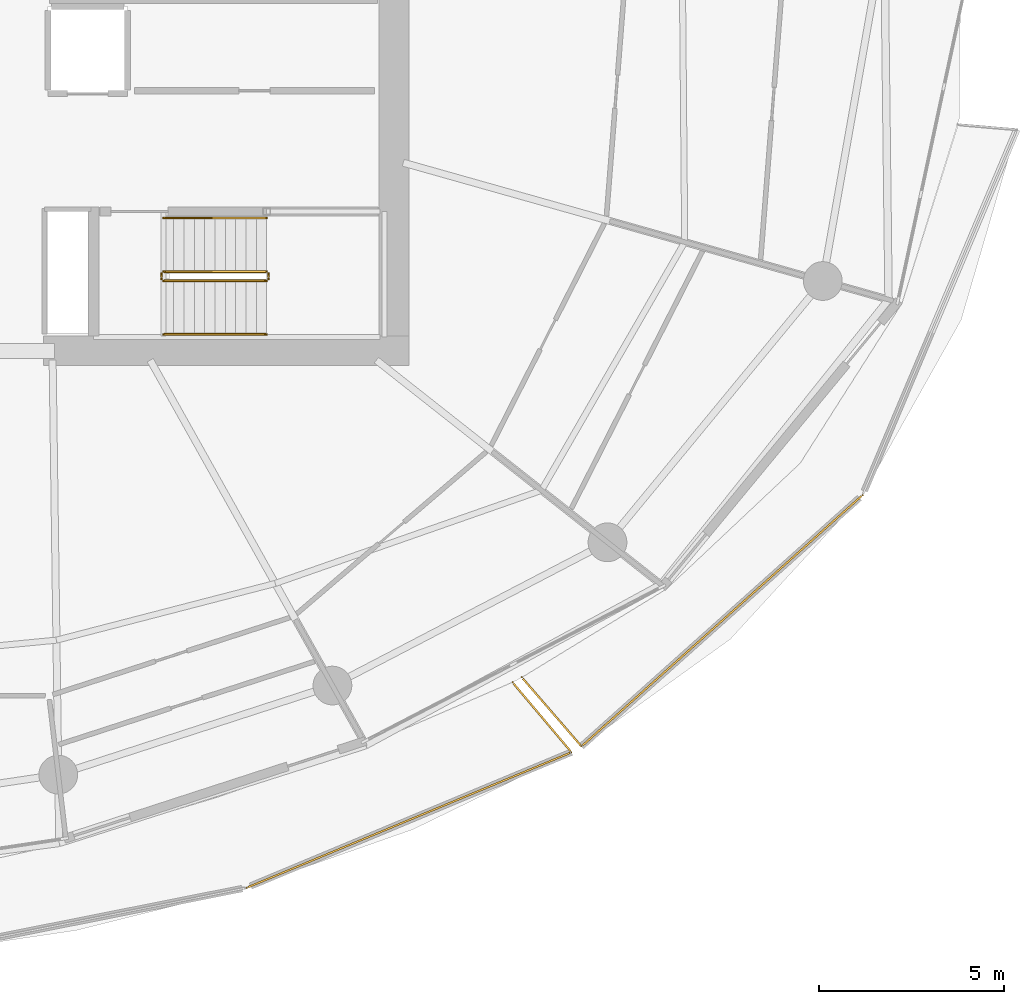
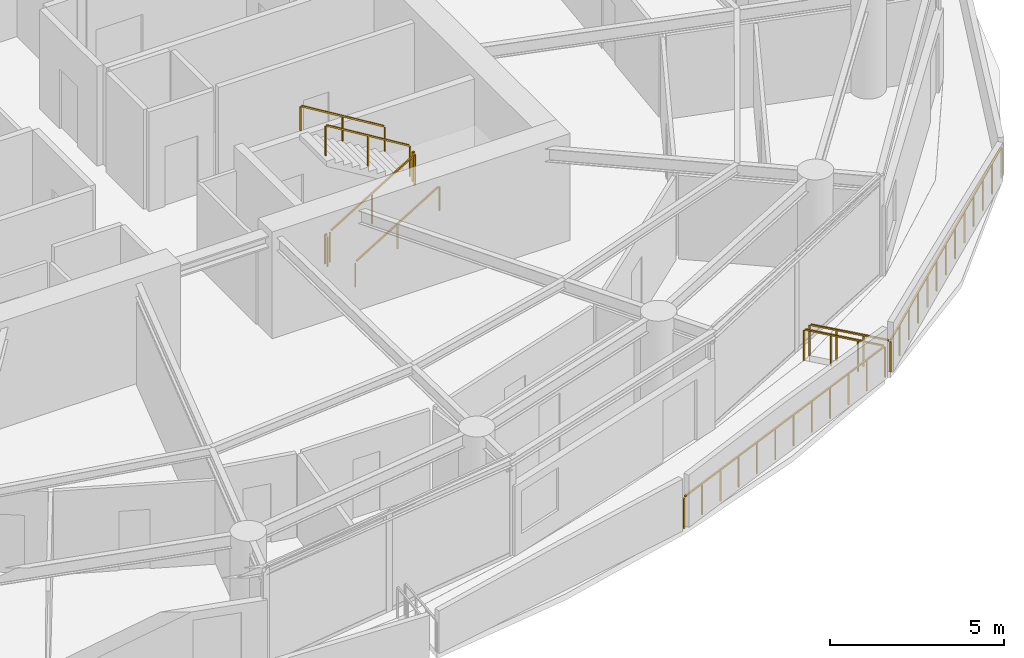
# One storey, part 18 of 20: 10 railings.
"""IFC4 building model written with IfcOpenShell, lengths in metres."""

from ifc_helpers import new_model, si_unit, direction, frame, origin, origin_2d, place, context, subcontext, project, spatial, rectangle, extrude, material, type_object, element, save


model = new_model("IFC4")

# Units and contexts
model_context = context("Model", 3, precision=1e-05, world=origin(), true_north=direction((0.0, 1.0)))
body_context = subcontext(model_context, "Body", "Model", "MODEL_VIEW")
ifc_project = project(units=[si_unit("LENGTHUNIT", "METRE"), si_unit("AREAUNIT", "SQUARE_METRE"), si_unit("VOLUMEUNIT", "CUBIC_METRE"), si_unit("PLANEANGLEUNIT", "RADIAN"), si_unit("MASSUNIT", "GRAM", prefix="KILO")], contexts=[model_context])

# Site, building, storey
site_placement = place(None, origin())
site = spatial("IfcSite", under=ifc_project, at=site_placement, CompositionType="ELEMENT")
building_placement = place(site_placement, origin())
building = spatial("IfcBuilding", under=site, at=building_placement, Name="Kazma Halo Residences", CompositionType="ELEMENT")
storey_placement = place(building_placement, frame((0.0, 0.0, 165.300048828125)))
storey = spatial("IfcBuildingStorey", under=building, at=storey_placement, Name="L41", CompositionType="ELEMENT", Elevation=165.300048828125)

# Railings
ifc_material_1 = material(Name="Aluminium AW-6063 T6 Brushed Cap Rail", Category="aluminium")
railing_type_1 = type_object("IfcRailingType", Name="RLG-BAL-CAP-1120", PredefinedType="BALUSTRADE", material=ifc_material_1)
railing_1_placement = place(storey_placement, frame((55.455810546875, 19.052978515625, 0.0)))
element("IfcRailing", 1, at=railing_1_placement, inside=storey, type_object=railing_type_1, Name="L41 SSE wave balcony guard 3", PredefinedType="BALUSTRADE", context=body_context, shape_type="SweptSolid", body=[
    extrude(rectangle(XDim=0.050048828125, YDim=0.050048828125, at=origin_2d()), frame((0.039306640625, 0.016357421875, 1.09521484375), z_axis=(0.922922375507, 0.384986089084, 0.0), x_axis=(-0.384986089084, 0.922922375507, 0.0)), (0.0, 0.0, 1.0), 9.453857421875),
    extrude(rectangle(XDim=0.0400390625, YDim=0.0400390625, at=origin_2d()), origin(), (0.0, 0.0, 1.0), 1.05810546875),
    extrude(rectangle(XDim=0.0400390625, YDim=0.0400390625, at=origin_2d()), frame((0.80029296875, 0.333740234375, 0.0)), (0.0, 0.0, 1.0), 1.05810546875),
    extrude(rectangle(XDim=0.0400390625, YDim=0.0400390625, at=origin_2d()), frame((1.6005859375, 0.667724609375, 0.0)), (0.0, 0.0, 1.0), 1.05810546875),
    extrude(rectangle(XDim=0.0400390625, YDim=0.0400390625, at=origin_2d()), frame((2.401123046875, 1.00146484375, 0.0)), (0.0, 0.0, 1.0), 1.05810546875),
    extrude(rectangle(XDim=0.0400390625, YDim=0.0400390625, at=origin_2d()), frame((3.201416015625, 1.33544921875, 0.0)), (0.0, 0.0, 1.0), 1.05810546875),
    extrude(rectangle(XDim=0.0400390625, YDim=0.0400390625, at=origin_2d()), frame((4.001708984375, 1.669189453125, 0.0)), (0.0, 0.0, 1.0), 1.05810546875),
    extrude(rectangle(XDim=0.0400390625, YDim=0.0400390625, at=origin_2d()), frame((4.802001953125, 2.003173828125, 0.0)), (0.0, 0.0, 1.0), 1.05810546875),
    extrude(rectangle(XDim=0.0400390625, YDim=0.0400390625, at=origin_2d()), frame((5.602294921875, 2.3369140625, 0.0)), (0.0, 0.0, 1.0), 1.05810546875),
    extrude(rectangle(XDim=0.0400390625, YDim=0.0400390625, at=origin_2d()), frame((6.402587890625, 2.6708984375, 0.0)), (0.0, 0.0, 1.0), 1.05810546875),
    extrude(rectangle(XDim=0.0400390625, YDim=0.0400390625, at=origin_2d()), frame((7.203125, 3.004638671875, 0.0)), (0.0, 0.0, 1.0), 1.05810546875),
    extrude(rectangle(XDim=0.0400390625, YDim=0.0400390625, at=origin_2d()), frame((8.00341796875, 3.338623046875, 0.0)), (0.0, 0.0, 1.0), 1.05810546875),
    extrude(rectangle(XDim=0.0400390625, YDim=0.0400390625, at=origin_2d()), frame((8.8037109375, 3.67236328125, 0.0)), (0.0, 0.0, 1.0), 1.05810546875),
])
railing_2_placement = place(storey_placement, frame((64.259521484375, 22.725341796875, 0.0)))
element("IfcRailing", 2, at=railing_2_placement, inside=storey, type_object=railing_type_1, Name="L41 SSE wave balcony guard 4", PredefinedType="BALUSTRADE", context=body_context, shape_type="SweptSolid", body=[
    extrude(rectangle(XDim=0.050048828125, YDim=0.050048828125, at=origin_2d()), frame((-0.02734375, 0.032470703125, 1.09521484375), z_axis=(-0.644793629606, 0.764356706793, 0.0), x_axis=(-0.764356706793, -0.644793629606, 0.0)), (0.0, 0.0, 1.0), 2.393798828125),
    extrude(rectangle(XDim=0.0400390625, YDim=0.0400390625, at=origin_2d()), origin(), (0.0, 0.0, 1.0), 1.05810546875),
    extrude(rectangle(XDim=0.0400390625, YDim=0.0400390625, at=origin_2d()), frame((-0.53271484375, 0.631591796875, 0.0)), (0.0, 0.0, 1.0), 1.05810546875),
    extrude(rectangle(XDim=0.0400390625, YDim=0.0400390625, at=origin_2d()), frame((-1.065673828125, 1.26318359375, 0.0)), (0.0, 0.0, 1.0), 1.05810546875),
    extrude(rectangle(XDim=0.0400390625, YDim=0.0400390625, at=origin_2d()), frame((-1.598388671875, 1.894775390625, 0.0)), (0.0, 0.0, 1.0), 1.05810546875),
])
railing_3_placement = place(storey_placement, frame((62.91455078125, 24.751953125, 0.0)))
element("IfcRailing", 3, at=railing_3_placement, inside=storey, type_object=railing_type_1, Name="L41 SE wave balcony guard 1", PredefinedType="BALUSTRADE", context=body_context, shape_type="SweptSolid", body=[
    extrude(rectangle(XDim=0.050048828125, YDim=0.050048828125, at=origin_2d()), frame((0.02783203125, -0.0322265625, 1.09521484375), z_axis=(0.654041873085, -0.756458345351, 0.0), x_axis=(0.756458345351, 0.654041873085, 0.0)), (0.0, 0.0, 1.0), 2.384521484375),
    extrude(rectangle(XDim=0.0400390625, YDim=0.0400390625, at=origin_2d()), origin(), (0.0, 0.0, 1.0), 1.05810546875),
    extrude(rectangle(XDim=0.0400390625, YDim=0.0400390625, at=origin_2d()), frame((0.538330078125, -0.622802734375, 0.0)), (0.0, 0.0, 1.0), 1.05810546875),
    extrude(rectangle(XDim=0.0400390625, YDim=0.0400390625, at=origin_2d()), frame((1.076904296875, -1.245361328125, 0.0)), (0.0, 0.0, 1.0), 1.05810546875),
    extrude(rectangle(XDim=0.0400390625, YDim=0.0400390625, at=origin_2d()), frame((1.615234375, -1.8681640625, 0.0)), (0.0, 0.0, 1.0), 1.05810546875),
])
railing_4_placement = place(storey_placement, frame((64.52978515625, 22.8837890625, 0.0)))
element("IfcRailing", 4, at=railing_4_placement, inside=storey, type_object=railing_type_1, Name="L41 SE wave balcony guard 2", PredefinedType="BALUSTRADE", context=body_context, shape_type="SweptSolid", body=[
    extrude(rectangle(XDim=0.050048828125, YDim=0.050048828125, at=origin_2d()), frame((0.03173828125, 0.0283203125, 1.09521484375), z_axis=(0.745534876129, 0.666466614675, 0.0), x_axis=(-0.666466614675, 0.745534876129, 0.0)), (0.0, 0.0, 1.0), 10.13525390625),
    extrude(rectangle(XDim=0.0400390625, YDim=0.0400390625, at=origin_2d()), origin(), (0.0, 0.0, 1.0), 1.05810546875),
    extrude(rectangle(XDim=0.0400390625, YDim=0.0400390625, at=origin_2d()), frame((0.635009765625, 0.567626953125, 0.0)), (0.0, 0.0, 1.0), 1.05810546875),
    extrude(rectangle(XDim=0.0400390625, YDim=0.0400390625, at=origin_2d()), frame((1.27001953125, 1.13525390625, 0.0)), (0.0, 0.0, 1.0), 1.05810546875),
    extrude(rectangle(XDim=0.0400390625, YDim=0.0400390625, at=origin_2d()), frame((1.90478515625, 1.702880859375, 0.0)), (0.0, 0.0, 1.0), 1.05810546875),
    extrude(rectangle(XDim=0.0400390625, YDim=0.0400390625, at=origin_2d()), frame((2.539794921875, 2.2705078125, 0.0)), (0.0, 0.0, 1.0), 1.05810546875),
    extrude(rectangle(XDim=0.0400390625, YDim=0.0400390625, at=origin_2d()), frame((3.1748046875, 2.838134765625, 0.0)), (0.0, 0.0, 1.0), 1.05810546875),
    extrude(rectangle(XDim=0.0400390625, YDim=0.0400390625, at=origin_2d()), frame((3.809814453125, 3.40576171875, 0.0)), (0.0, 0.0, 1.0), 1.05810546875),
    extrude(rectangle(XDim=0.0400390625, YDim=0.0400390625, at=origin_2d()), frame((4.44482421875, 3.973388671875, 0.0)), (0.0, 0.0, 1.0), 1.05810546875),
    extrude(rectangle(XDim=0.0400390625, YDim=0.0400390625, at=origin_2d()), frame((5.079833984375, 4.541015625, 0.0)), (0.0, 0.0, 1.0), 1.05810546875),
    extrude(rectangle(XDim=0.0400390625, YDim=0.0400390625, at=origin_2d()), frame((5.71484375, 5.108642578125, 0.0)), (0.0, 0.0, 1.0), 1.05810546875),
    extrude(rectangle(XDim=0.0400390625, YDim=0.0400390625, at=origin_2d()), frame((6.349609375, 5.67626953125, 0.0)), (0.0, 0.0, 1.0), 1.05810546875),
    extrude(rectangle(XDim=0.0400390625, YDim=0.0400390625, at=origin_2d()), frame((6.984619140625, 6.243896484375, 0.0)), (0.0, 0.0, 1.0), 1.05810546875),
    extrude(rectangle(XDim=0.0400390625, YDim=0.0400390625, at=origin_2d()), frame((7.61962890625, 6.8115234375, 0.0)), (0.0, 0.0, 1.0), 1.05810546875),
])
ifc_material_2 = material(Name="Painted Steel S355", Category="steel")
railing_type_2 = type_object("IfcRailingType", Name="RLG-STAIR-GRD-1100", PredefinedType="GUARDRAIL", material=ifc_material_2)
railing_5_placement = place(storey_placement, frame((53.199951171875, 35.5, 0.17041015625)))
element("IfcRailing", 5, at=railing_5_placement, inside=storey, type_object=railing_type_2, Name="L41 ST-03 stair guard 1", PredefinedType="GUARDRAIL", context=body_context, shape_type="SweptSolid", body=[
    extrude(rectangle(XDim=0.050048828125, YDim=0.050048828125, at=origin_2d()), frame((0.036376953125, 0.0, 1.09716796875), z_axis=(0.854169791009, 0.0, 0.51999420009), x_axis=(0.0, 1.0, 0.0)), (0.0, 0.0, 1.0), 3.193115234375),
    extrude(rectangle(XDim=0.0400390625, YDim=0.0400390625, at=origin_2d()), origin(), (0.0, 0.0, 1.0), 1.0380859375),
    extrude(rectangle(XDim=0.0400390625, YDim=0.0400390625, at=origin_2d()), frame((1.39990234375, 0.0, 0.852294921875)), (0.0, 0.0, 1.0), 1.0380859375),
    extrude(rectangle(XDim=0.0400390625, YDim=0.0400390625, at=origin_2d()), frame((2.800048828125, 0.0, 1.70458984375)), (0.0, 0.0, 1.0), 1.0380859375),
])
railing_6_placement = place(storey_placement, frame((56.050048828125, 35.550048828125, 1.875)))
element("IfcRailing", 6, at=railing_6_placement, inside=storey, type_object=railing_type_2, Name="L41 ST-03 stair guard 2", PredefinedType="GUARDRAIL", context=body_context, shape_type="SweptSolid", body=[
    extrude(rectangle(XDim=0.050048828125, YDim=0.050048828125, at=origin_2d()), frame((0.0, 0.04248046875, 1.0751953125), z_axis=(0.0, 1.0, 0.0), x_axis=(-1.0, 0.0, 0.0)), (0.0, 0.0, 1.0), 0.06494140625),
    extrude(rectangle(XDim=0.0400390625, YDim=0.0400390625, at=origin_2d()), origin(), (0.0, 0.0, 1.0), 1.0380859375),
    extrude(rectangle(XDim=0.0400390625, YDim=0.0400390625, at=origin_2d()), frame((0.0, 0.14990234375, 0.0)), (0.0, 0.0, 1.0), 1.0380859375),
])
railing_7_placement = place(storey_placement, frame((56.0, 35.75, 2.04541015625)))
element("IfcRailing", 7, at=railing_7_placement, inside=storey, type_object=railing_type_2, Name="L41 ST-03 stair guard 3", PredefinedType="GUARDRAIL", context=body_context, shape_type="SweptSolid", body=[
    extrude(rectangle(XDim=0.050048828125, YDim=0.050048828125, at=origin_2d()), frame((-0.036376953125, 0.0, 1.09716796875), z_axis=(-0.854169791009, 0.0, 0.51999420009), x_axis=(0.0, -1.0, 0.0)), (0.0, 0.0, 1.0), 3.193115234375),
    extrude(rectangle(XDim=0.0400390625, YDim=0.0400390625, at=origin_2d()), origin(), (0.0, 0.0, 1.0), 1.0380859375),
    extrude(rectangle(XDim=0.0400390625, YDim=0.0400390625, at=origin_2d()), frame((-1.39990234375, 0.0, 0.852294921875)), (0.0, 0.0, 1.0), 1.0380859375),
    extrude(rectangle(XDim=0.0400390625, YDim=0.0400390625, at=origin_2d()), frame((-2.800048828125, 0.0, 1.70458984375)), (0.0, 0.0, 1.0), 1.0380859375),
])
railing_8_placement = place(storey_placement, frame((53.14990234375, 35.550048828125, 0.0)))
element("IfcRailing", 8, at=railing_8_placement, inside=storey, type_object=railing_type_2, Name="L41 ST-03 stair guard 4", PredefinedType="GUARDRAIL", context=body_context, shape_type="SweptSolid", body=[
    extrude(rectangle(XDim=0.050048828125, YDim=0.050048828125, at=origin_2d()), frame((0.0, 0.04248046875, 1.0751953125), z_axis=(0.0, 1.0, 0.0), x_axis=(-1.0, 0.0, 0.0)), (0.0, 0.0, 1.0), 0.06494140625),
    extrude(rectangle(XDim=0.0400390625, YDim=0.0400390625, at=origin_2d()), origin(), (0.0, 0.0, 1.0), 1.0380859375),
    extrude(rectangle(XDim=0.0400390625, YDim=0.0400390625, at=origin_2d()), frame((0.0, 0.14990234375, 0.0)), (0.0, 0.0, 1.0), 1.0380859375),
])
ifc_material_3 = material(Name="Brushed Stainless Steel", Category="steel")
railing_type_3 = type_object("IfcRailingType", Name="RLG-STAIR-HND-900", PredefinedType="HANDRAIL", material=ifc_material_3)
railing_9_placement = place(storey_placement, frame((53.199951171875, 34.050048828125, 0.17041015625)))
element("IfcRailing", 9, at=railing_9_placement, inside=storey, type_object=railing_type_3, Name="L41 ST-03 stair handrail 1", PredefinedType="HANDRAIL", context=body_context, shape_type="SweptSolid", body=[
    extrude(rectangle(XDim=0.050048828125, YDim=0.050048828125, at=origin_2d()), frame((0.036376953125, 0.0, 0.89697265625), z_axis=(0.854169791009, 0.0, 0.51999420009), x_axis=(0.0, 1.0, 0.0)), (0.0, 0.0, 1.0), 3.193115234375),
    extrude(rectangle(XDim=0.0400390625, YDim=0.0400390625, at=origin_2d()), origin(), (0.0, 0.0, 1.0), 0.837890625),
    extrude(rectangle(XDim=0.0400390625, YDim=0.0400390625, at=origin_2d()), frame((1.39990234375, 0.0, 0.852294921875)), (0.0, 0.0, 1.0), 0.837890625),
    extrude(rectangle(XDim=0.0400390625, YDim=0.0400390625, at=origin_2d()), frame((2.800048828125, 0.0, 1.70458984375)), (0.0, 0.0, 1.0), 0.837890625),
])
railing_10_placement = place(storey_placement, frame((56.0, 37.199951171875, 2.04541015625)))
element("IfcRailing", 10, at=railing_10_placement, inside=storey, type_object=railing_type_3, Name="L41 ST-03 stair handrail 2", PredefinedType="HANDRAIL", context=body_context, shape_type="SweptSolid", body=[
    extrude(rectangle(XDim=0.050048828125, YDim=0.050048828125, at=origin_2d()), frame((-0.036376953125, 0.0, 0.89697265625), z_axis=(-0.854169791009, 0.0, 0.51999420009), x_axis=(0.0, -1.0, 0.0)), (0.0, 0.0, 1.0), 3.193115234375),
    extrude(rectangle(XDim=0.0400390625, YDim=0.0400390625, at=origin_2d()), origin(), (0.0, 0.0, 1.0), 0.837890625),
    extrude(rectangle(XDim=0.0400390625, YDim=0.0400390625, at=origin_2d()), frame((-1.39990234375, 0.0, 0.852294921875)), (0.0, 0.0, 1.0), 0.837890625),
    extrude(rectangle(XDim=0.0400390625, YDim=0.0400390625, at=origin_2d()), frame((-2.800048828125, 0.0, 1.70458984375)), (0.0, 0.0, 1.0), 0.837890625),
])

save(model, "model.ifc")
